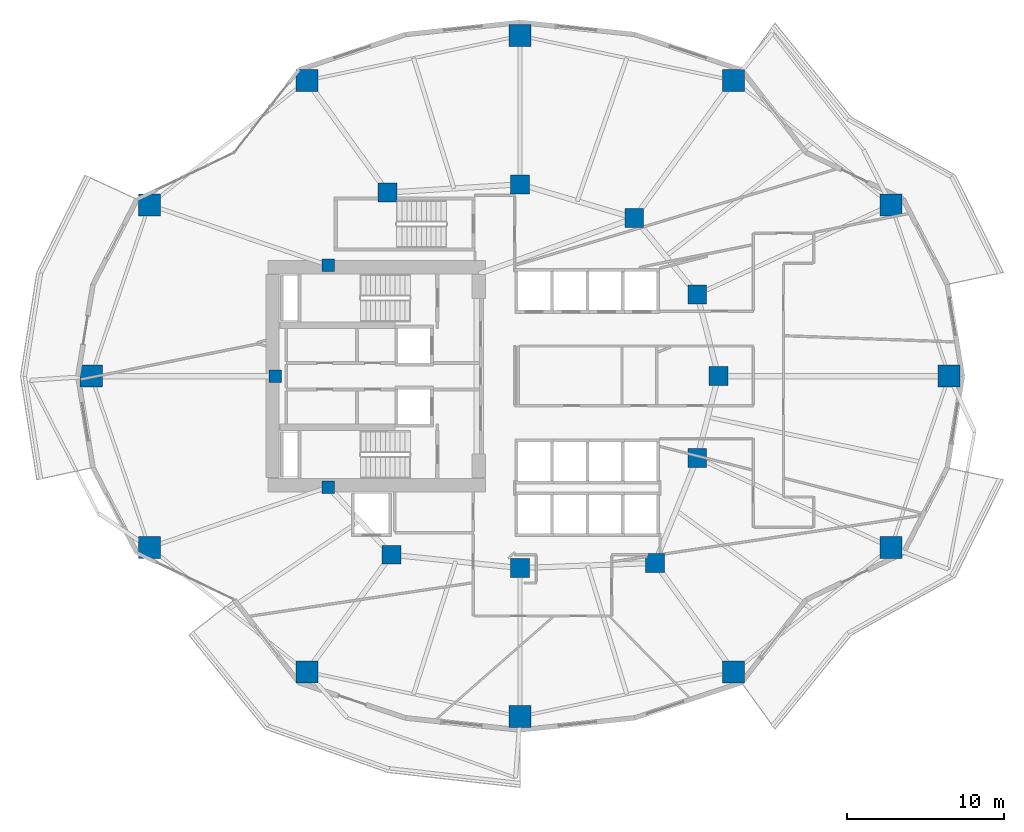
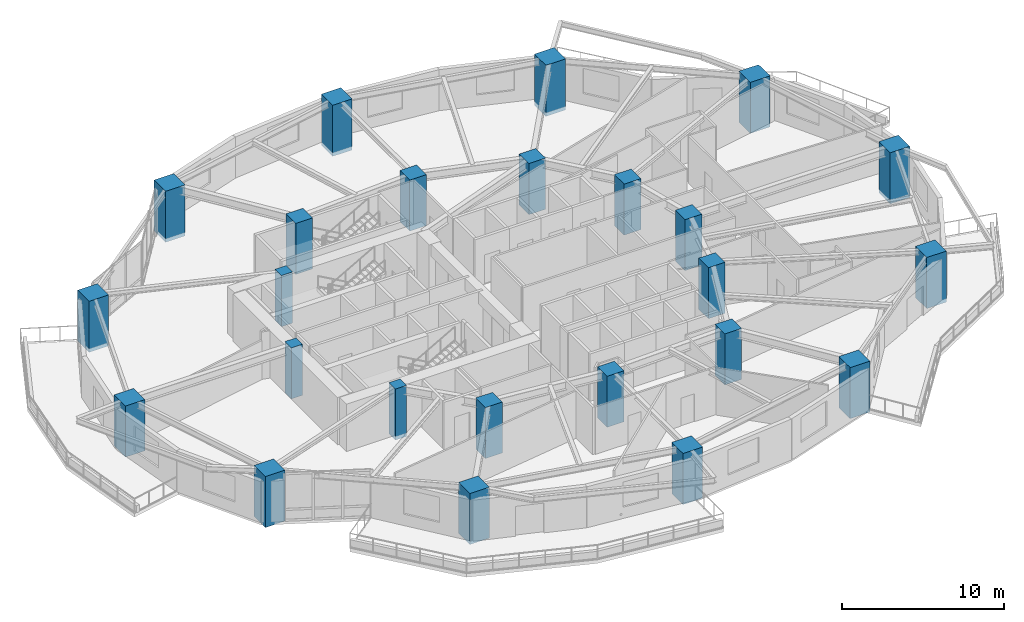
# One storey, part 1 of 14: 24 columns.
"""IFC4 building model written with IfcOpenShell, lengths in metres."""

from ifc_helpers import new_model, si_unit, direction, frame, origin, origin_2d, place, context, subcontext, project, spatial, rectangle, extrude, material, material_profile, profile_set, type_object, element, save


model = new_model("IFC4")

# Units and contexts
model_context = context("Model", 3, precision=1e-05, world=origin(), true_north=direction((0.0, 1.0)))
body_context = subcontext(model_context, "Body", "Model", "MODEL_VIEW")
ifc_project = project(units=[si_unit("LENGTHUNIT", "METRE"), si_unit("AREAUNIT", "SQUARE_METRE"), si_unit("VOLUMEUNIT", "CUBIC_METRE"), si_unit("PLANEANGLEUNIT", "RADIAN"), si_unit("MASSUNIT", "GRAM", prefix="KILO")], contexts=[model_context])

# Site, building, storey
site_placement = place(None, origin())
site = spatial("IfcSite", under=ifc_project, at=site_placement, CompositionType="ELEMENT")
building_placement = place(site_placement, origin())
building = spatial("IfcBuilding", under=site, at=building_placement, Name="Kolvaren Gate Tower and Convention Centre", CompositionType="ELEMENT")
storey_placement = place(building_placement, frame((0.0, 0.0, 45.75)))
storey = spatial("IfcBuildingStorey", under=building, at=storey_placement, Name="L10", CompositionType="ELEMENT", Elevation=45.75)

# Columns
ifc_material_1 = material(Name="Concrete C70/85", Category="concrete")
ifc_material_profile_1 = material_profile(ifc_material_1, rectangle(XDim=1.199951171875, YDim=1.199951171875, at=origin_2d()), Name="RC-COL-1200X1200")
ifc_profile_set_1 = profile_set([ifc_material_profile_1], Name="Concrete C70/85")
column_type_1 = type_object("IfcColumnType", Name="STR-COL-RC1200", PredefinedType="COLUMN", material=ifc_profile_set_1)
for number, where, z_axis, x_axis, name in (
    (1, (42.72509765625, 27.0, -0.280029296875), (0.0, 0.0, 1.0), (1.0, 0.0, 0.0), "Tower L10 Interior Column TI-01"),
    (2, (41.382080078125, 32.199462890625, -0.280029296875), (0.0, 0.0, 1.0), (1.0, 0.0, 0.0), "Tower L10 Interior Column TI-02"),
    (3, (37.381591796875, 37.054931640625, -0.280029296875), (0.0, 0.0, 1.0), (1.0, 0.0, 0.0), "Tower L10 Interior Column TI-03"),
    (4, (30.125, 39.199951171875, -0.280029296875), (0.0, 0.0, 1.0), (1.0, 0.0, 0.0), "Tower L10 Interior Column TI-04"),
    (5, (21.697998046875, 38.6767578125, -0.280029296875), (0.0, 0.0, 1.0), (1.0, 0.0, 0.0), "Tower L10 Interior Column TI-05"),
    (6, (21.93212890625, 15.647705078125, -0.280029296875), (0.0, 0.0, 1.0), (1.0, 0.0, 0.0), "Tower L10 Interior Column TI-06"),
    (7, (30.125, 14.800048828125, -0.280029296875), (0.0, 0.0, 1.0), (1.0, 0.0, 0.0), "Tower L10 Interior Column TI-07"),
    (8, (38.6982421875, 15.12060546875, -0.280029296875), (0.0, 0.0, 1.0), (1.0, 0.0, 0.0), "Tower L10 Interior Column TI-08"),
    (9, (41.382080078125, 21.800537109375, -0.280029296875), (0.0, 0.0, 1.0), (1.0, 0.0, 0.0), "Tower L10 Interior Column TI-09"),
):
    element("IfcColumn", number, at=place(storey_placement, frame(where, z_axis=z_axis, x_axis=x_axis)), inside=storey, type_object=column_type_1, Name=name, PredefinedType="COLUMN", context=body_context, shape_type="SweptSolid", body=[
        extrude(rectangle(XDim=1.199951171875, YDim=1.199951171875, at=origin_2d()), origin(), (0.0, 0.0, 1.0), 3.85009765625),
    ])
ifc_material_profile_2 = material_profile(ifc_material_1, rectangle(XDim=1.39990234375, YDim=1.39990234375, at=origin_2d()), Name="RC-COL-1400X1400")
ifc_profile_set_2 = profile_set([ifc_material_profile_2], Name="Concrete C70/85")
column_type_2 = type_object("IfcColumnType", Name="STR-COL-RC1400", PredefinedType="COLUMN", material=ifc_profile_set_2)
for number, where, z_axis, x_axis, name in (
    (10, (57.39990234375, 27.0, -0.280029296875), (0.0, 0.0, 1.0), (1.0, 0.0, 0.0), "Tower L10 Perimeter Supercolumn TP-01"),
    (11, (53.710205078125, 37.8935546875, -0.280029296875), (0.0, 0.0, 1.0), (1.0, 0.0, 0.0), "Tower L10 Perimeter Supercolumn TP-02"),
    (12, (43.690185546875, 45.79638671875, -0.280029296875), (0.0, 0.0, 1.0), (1.0, 0.0, 0.0), "Tower L10 Perimeter Supercolumn TP-03"),
    (13, (30.125, 48.64990234375, -0.280029296875), (0.0, 0.0, 1.0), (1.0, 0.0, 0.0), "Tower L10 Perimeter Supercolumn TP-04"),
    (14, (16.559814453125, 45.79638671875, -0.280029296875), (0.0, 0.0, 1.0), (1.0, 0.0, 0.0), "Tower L10 Perimeter Supercolumn TP-05"),
    (15, (6.539794921875, 37.8935546875, -0.280029296875), (0.0, 0.0, 1.0), (1.0, 0.0, 0.0), "Tower L10 Perimeter Supercolumn TP-06"),
    (16, (2.85009765625, 27.0, -0.280029296875), (0.0, 0.0, 1.0), (1.0, 0.0, 0.0), "Tower L10 Perimeter Supercolumn TP-07"),
    (17, (6.539794921875, 16.1064453125, -0.280029296875), (0.0, 0.0, 1.0), (1.0, 0.0, 0.0), "Tower L10 Perimeter Supercolumn TP-08"),
    (18, (16.559814453125, 8.20361328125, -0.280029296875), (0.0, 0.0, 1.0), (1.0, 0.0, 0.0), "Tower L10 Perimeter Supercolumn TP-09"),
    (19, (30.125, 5.35009765625, -0.280029296875), (0.0, 0.0, 1.0), (1.0, 0.0, 0.0), "Tower L10 Perimeter Supercolumn TP-10"),
    (20, (43.690185546875, 8.20361328125, -0.280029296875), (0.0, 0.0, 1.0), (1.0, 0.0, 0.0), "Tower L10 Perimeter Supercolumn TP-11"),
    (21, (53.710205078125, 16.1064453125, -0.280029296875), (0.0, 0.0, 1.0), (1.0, 0.0, 0.0), "Tower L10 Perimeter Supercolumn TP-12"),
):
    element("IfcColumn", number, at=place(storey_placement, frame(where, z_axis=z_axis, x_axis=x_axis)), inside=storey, type_object=column_type_2, Name=name, PredefinedType="COLUMN", context=body_context, shape_type="SweptSolid", body=[
        extrude(rectangle(XDim=1.39990234375, YDim=1.39990234375, at=origin_2d()), origin(), (0.0, 0.0, 1.0), 3.85009765625),
    ])
ifc_material_2 = material(Name="Concrete C60/75", Category="concrete")
ifc_material_profile_3 = material_profile(ifc_material_2, rectangle(XDim=0.800048828125, YDim=0.800048828125, at=origin_2d()), Name="RC-COL-800X800")
ifc_profile_set_3 = profile_set([ifc_material_profile_3], Name="Concrete C60/75")
column_type_3 = type_object("IfcColumnType", Name="STR-PIL-RC800", PredefinedType="PILASTER", material=ifc_profile_set_3)
for number, where, z_axis, x_axis, name in (
    (22, (17.9140625, 34.050048828125, -0.280029296875), (0.0, 0.0, 1.0), (1.0, 0.0, 0.0), "Tower L10 Core Boundary Pilaster TC-05"),
    (23, (14.550048828125, 27.0, -0.280029296875), (0.0, 0.0, 1.0), (1.0, 0.0, 0.0), "Tower L10 Core Boundary Pilaster TC-06"),
    (24, (17.9140625, 19.949951171875, -0.280029296875), (0.0, 0.0, 1.0), (1.0, 0.0, 0.0), "Tower L10 Core Boundary Pilaster TC-07"),
):
    element("IfcColumn", number, at=place(storey_placement, frame(where, z_axis=z_axis, x_axis=x_axis)), inside=storey, type_object=column_type_3, Name=name, PredefinedType="PILASTER", context=body_context, shape_type="SweptSolid", body=[
        extrude(rectangle(XDim=0.800048828125, YDim=0.800048828125, at=origin_2d()), origin(), (0.0, 0.0, 1.0), 3.85009765625),
    ])

save(model, "model.ifc")
